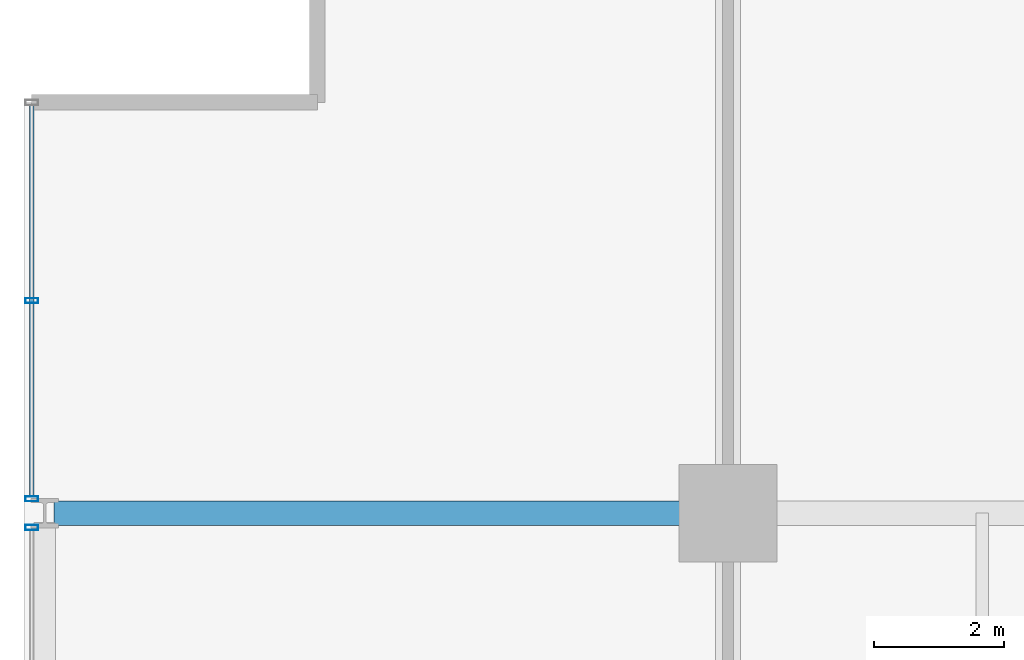
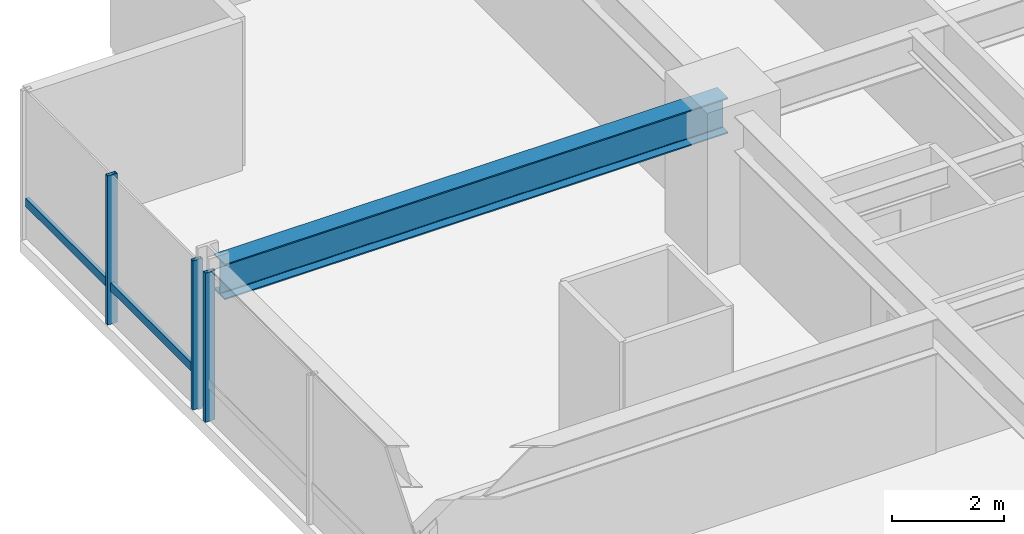
# One storey, part 18 of 35: 4 members, 1 beam, 2 elements without a shape of their own.
"""IFC4 building model written with IfcOpenShell, lengths in metres."""

from ifc_helpers import new_model, si_unit, direction, frame, origin, origin_2d, place, context, subcontext, project, spatial, hollow_rectangle, i_section, extrude, material, layer, layer_set, material_profile, profile_set, type_object, element, aggregate, save


model = new_model("IFC4")

# Units and contexts
model_context = context("Model", 3, precision=1e-05, world=origin(), true_north=direction((0.0, 1.0)))
body_context = subcontext(model_context, "Body", "Model", "MODEL_VIEW")
ifc_project = project(units=[si_unit("LENGTHUNIT", "METRE"), si_unit("AREAUNIT", "SQUARE_METRE"), si_unit("VOLUMEUNIT", "CUBIC_METRE"), si_unit("PLANEANGLEUNIT", "RADIAN"), si_unit("MASSUNIT", "GRAM", prefix="KILO")], contexts=[model_context])

# Site, building, storey
site_placement = place(None, origin())
site = spatial("IfcSite", under=ifc_project, at=site_placement, CompositionType="ELEMENT")
building_placement = place(site_placement, origin())
building = spatial("IfcBuilding", under=site, at=building_placement, Name="Drelvath Grand Hotel", CompositionType="ELEMENT")
storey_placement = place(building_placement, frame((0.0, 0.0, 98.800048828125)))
storey = spatial("IfcBuildingStorey", under=building, at=storey_placement, Name="L24", CompositionType="ELEMENT", Elevation=98.800048828125)

# Curtain wall, member
ifc_material_1 = material(Name="Champagne Bronze Anodised Aluminium Frame", Category="aluminium")
ifc_layer = layer(ifc_material_1, 0.199951171875)
ifc_layer_set = layer_set([ifc_layer], Name="Champagne Bronze Anodised Aluminium Frame")
curtain_wall_type = type_object("IfcCurtainWallType", Name="Stick Curtain Wall CW-03 Champagne Bronze Mid-Rise", PredefinedType="NOTDEFINED", material=ifc_layer_set)
curtain_wall_1_placement = place(storey_placement, origin())
curtain_wall_1 = element("IfcCurtainWall", 1, at=curtain_wall_1_placement, inside=storey, type_object=curtain_wall_type, Name="L24 CW-03 Curtain Wall CW03-L24-WN3", PredefinedType="NOTDEFINED")
ifc_material_profile_1 = material_profile(ifc_material_1, hollow_rectangle(XDim=0.074951171875, YDim=0.179931640625, WallThickness=0.0048828125, at=origin_2d()), Name="HSS180X75X5")
ifc_profile_set_1 = profile_set([ifc_material_profile_1], Name="Champagne Bronze Anodised Aluminium Frame")
member_type_1 = type_object("IfcMemberType", Name="Curtain Wall Horizontal Transom CW-03 HSS180X75X5", PredefinedType="USERDEFINED", material=ifc_profile_set_1)
member_1_placement = place(storey_placement, frame((-26.8798828125, 43.459716796875, 0.81005859375), z_axis=(0.0, 1.0, 0.0), x_axis=(-1.0, 0.0, 0.0)))
member_1 = element("IfcMember", 2, at=member_1_placement, type_object=member_type_1, Name="CW03-L24-WN3 Sill Transom", ObjectType="TRANSOM", PredefinedType="USERDEFINED", context=body_context, shape_type="SweptSolid", body=[
    extrude(hollow_rectangle(XDim=0.074951171875, YDim=0.179931640625, WallThickness=0.0048828125, at=origin_2d()), origin(), (0.0, 0.0, 1.0), 6.000244140625),
])

curtain_wall_2_placement = place(storey_placement, origin())
curtain_wall_2 = element("IfcCurtainWall", 3, at=curtain_wall_2_placement, inside=storey, type_object=curtain_wall_type, Name="L24 CW-03 Curtain Wall CW03-L24-WN2", PredefinedType="NOTDEFINED")
ifc_material_profile_2 = material_profile(ifc_material_1, hollow_rectangle(XDim=0.080078125, YDim=0.199951171875, WallThickness=0.0048828125, at=origin_2d()), Name="HSS200X80X5")
ifc_profile_set_2 = profile_set([ifc_material_profile_2], Name="Champagne Bronze Anodised Aluminium Frame")
member_type_2 = type_object("IfcMemberType", Name="Curtain Wall Vertical Mullion CW-03 HSS200X80X5", PredefinedType="MULLION", material=ifc_profile_set_2)
member_2_placement = place(storey_placement, frame((-26.8798828125, 42.98046875, 0.0), z_axis=(0.0, 0.0, 1.0), x_axis=(0.0, 1.0, 0.0)))
member_2 = element("IfcMember", 4, at=member_2_placement, type_object=member_type_2, Name="CW03-L24-WN2 Mullion 3", PredefinedType="MULLION", context=body_context, shape_type="SweptSolid", body=[
    extrude(hollow_rectangle(XDim=0.080078125, YDim=0.199951171875, WallThickness=0.0048828125, at=origin_2d()), origin(), (0.0, 0.0, 1.0), 3.239990234375),
])
aggregate(curtain_wall_2, [member_2])

# Member
member_3_placement = place(storey_placement, frame((-26.8798828125, 43.419677734375, 0.0), z_axis=(0.0, 0.0, 1.0), x_axis=(0.0, 1.0, 0.0)))
member_3 = element("IfcMember", 5, at=member_3_placement, type_object=member_type_2, Name="CW03-L24-WN3 Mullion 1", PredefinedType="MULLION", context=body_context, shape_type="SweptSolid", body=[
    extrude(hollow_rectangle(XDim=0.080078125, YDim=0.199951171875, WallThickness=0.0048828125, at=origin_2d()), origin(), (0.0, 0.0, 1.0), 3.239990234375),
])

member_4_placement = place(storey_placement, frame((-26.8798828125, 46.459716796875, 0.0), z_axis=(0.0, 0.0, 1.0), x_axis=(0.0, 1.0, 0.0)))
member_4 = element("IfcMember", 6, at=member_4_placement, type_object=member_type_2, Name="CW03-L24-WN3 Mullion 2", PredefinedType="MULLION", context=body_context, shape_type="SweptSolid", body=[
    extrude(hollow_rectangle(XDim=0.080078125, YDim=0.199951171875, WallThickness=0.0048828125, at=origin_2d()), origin(), (0.0, 0.0, 1.0), 3.239990234375),
])

aggregate(curtain_wall_1, [member_3, member_4, member_1])

# Beam
ifc_material_2 = material(Name="Steel ASTM A992 Gr 50", Category="steel")
ifc_material_profile_3 = material_profile(ifc_material_2, i_section(OverallWidth=0.380615234375, OverallDepth=0.773193359375, WebThickness=0.0166015625, FlangeThickness=0.027099609375, FilletRadius=0.02490234375, at=origin_2d()), Name="W30X173")
ifc_profile_set_3 = profile_set([ifc_material_profile_3], Name="Steel ASTM A992 Gr 50")
beam_type = type_object("IfcBeamType", Name="Primary Floor Girder W30X173", PredefinedType="BEAM", material=ifc_profile_set_3)
beam_placement = place(storey_placement, frame((-26.5400390625, 43.199951171875, 2.853271484375), z_axis=(1.0, 0.0, 0.0), x_axis=(0.0, 1.0, 0.0)))
element("IfcBeam", 7, at=beam_placement, inside=storey, type_object=beam_type, Name="L24 West Grid Girder G", PredefinedType="BEAM", context=body_context, shape_type="SweptSolid", body=[
    extrude(i_section(OverallWidth=0.380615234375, OverallDepth=0.773193359375, WebThickness=0.0166015625, FlangeThickness=0.027099609375, FilletRadius=0.02490234375, at=origin_2d()), origin(), (0.0, 0.0, 1.0), 10.340087890625),
])

save(model, "model.ifc")
